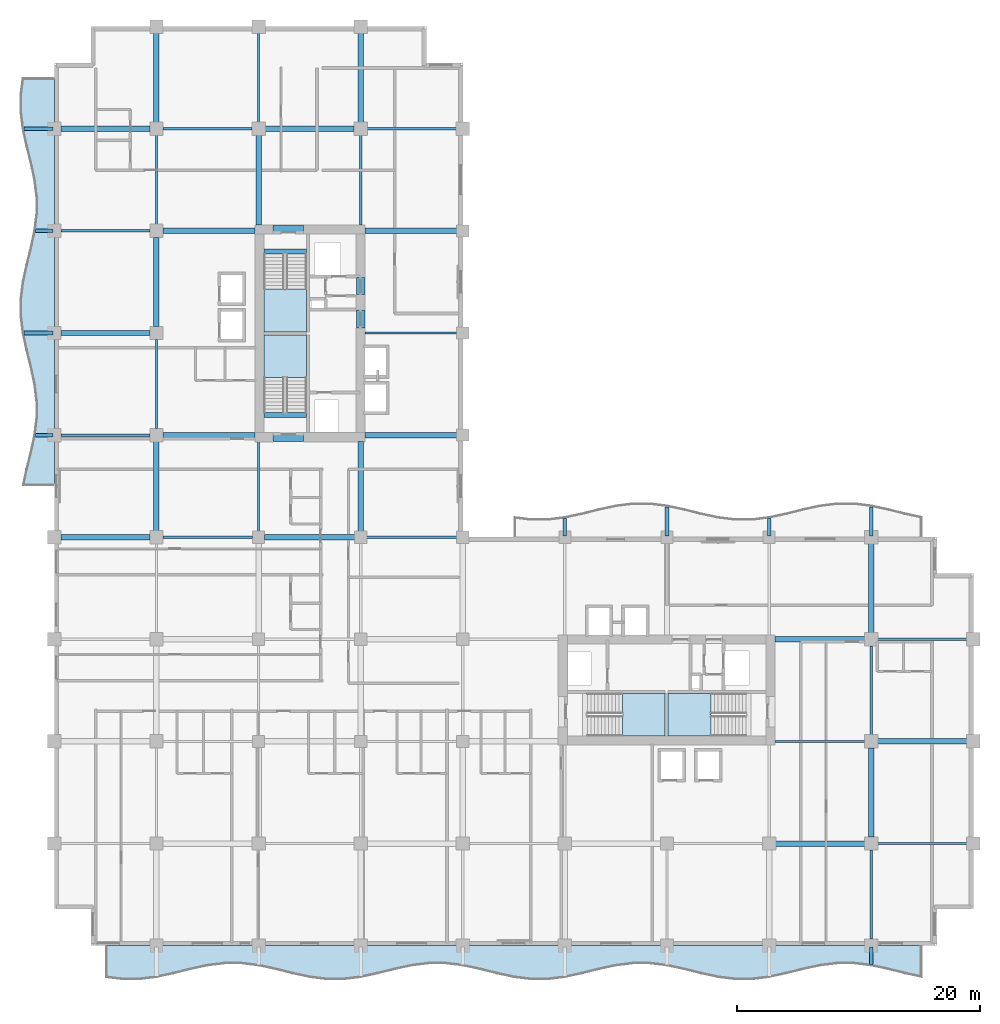
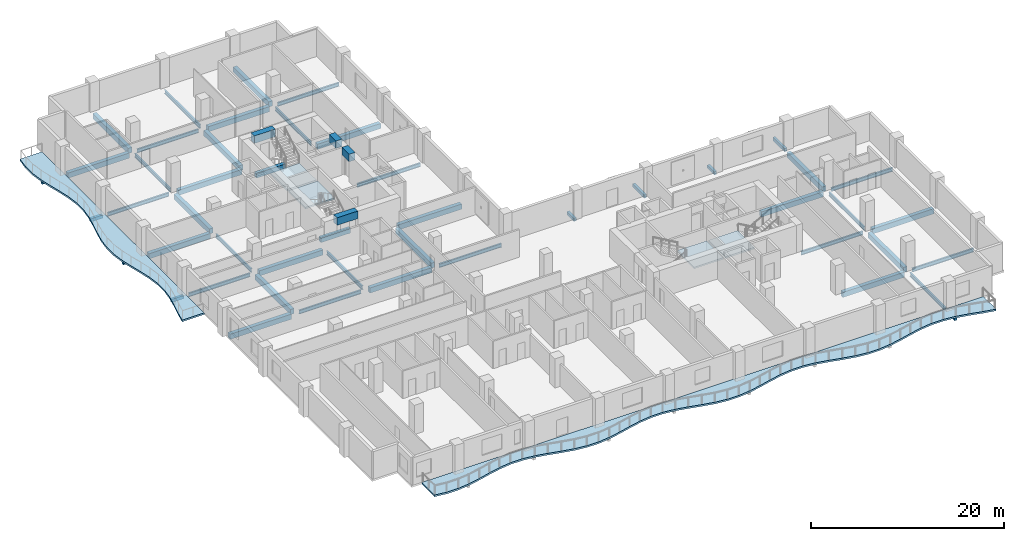
# One storey, part 2 of 16: 52 beams, 6 slabs, 4 elements without a shape of their own.
"""IFC4 building model written with IfcOpenShell, lengths in metres."""

from ifc_helpers import new_model, si_unit, direction, frame, origin, origin_2d, place, context, subcontext, project, spatial, polyline, rectangle, i_section, outline, extrude, material, layer, layer_set, material_profile, profile_set, type_object, element, aggregate, save


model = new_model("IFC4")

# Units and contexts
model_context = context("Model", 3, precision=1e-05, world=origin(), true_north=direction((0.0, 1.0)))
body_context = subcontext(model_context, "Body", "Model", "MODEL_VIEW")
ifc_project = project(units=[si_unit("LENGTHUNIT", "METRE"), si_unit("AREAUNIT", "SQUARE_METRE"), si_unit("VOLUMEUNIT", "CUBIC_METRE"), si_unit("PLANEANGLEUNIT", "RADIAN"), si_unit("MASSUNIT", "GRAM", prefix="KILO")], contexts=[model_context])

# Site, building, storey
site_placement = place(None, origin())
site = spatial("IfcSite", under=ifc_project, at=site_placement, CompositionType="ELEMENT")
building_placement = place(site_placement, origin())
building = spatial("IfcBuilding", under=site, at=building_placement, Name="Koriwani Terraces Tower", CompositionType="ELEMENT")
storey_placement = place(building_placement, frame((0.0, 0.0, 179.10009765625)))
storey = spatial("IfcBuildingStorey", under=building, at=storey_placement, Name="L43", CompositionType="ELEMENT", Elevation=179.10009765625)

# Beams
ifc_material_1 = material(Name="Concrete C40/50", Category="concrete")
ifc_material_profile_1 = material_profile(ifc_material_1, rectangle(XDim=0.300048828125, YDim=0.39990234375, at=origin_2d()), Name="Concrete C40/50", Category="LoadBearing")
ifc_profile_set_1 = profile_set([ifc_material_profile_1], Name="Concrete C40/50")
beam_type_1 = type_object("IfcBeamType", Name="BEAM_RC_BALCONY_RIB_300X400", PredefinedType="JOIST", material=ifc_profile_set_1)
for number, where, z_axis, x_axis, name in (
    (1, (67.199951171875, -1.547607421875, -0.43017578125), (0.0, 1.0, 0.0), (-1.0, 0.0, 0.0), "L43 Balcony Bracket Rib S-8"),
    (2, (-1.547607421875, 42.0, -0.43017578125), (1.0, 0.0, 0.0), (0.0, 1.0, 0.0), "L43 Balcony Bracket Rib W-1"),
):
    element("IfcBeam", number, at=place(storey_placement, frame(where, z_axis=z_axis, x_axis=x_axis)), inside=storey, type_object=beam_type_1, Name=name, PredefinedType="JOIST", context=body_context, shape_type="SweptSolid", body=[
        extrude(rectangle(XDim=0.300048828125, YDim=0.39990234375, at=origin_2d()), origin(), (0.0, 0.0, 1.0), 1.447509765625),
    ])
beam_1_placement = place(storey_placement, frame((-2.502197265625, 50.39990234375, -0.43017578125), z_axis=(1.0, 0.0, 0.0), x_axis=(0.0, 1.0, 0.0)))
element("IfcBeam", 3, at=beam_1_placement, inside=storey, type_object=beam_type_1, Name="L43 Balcony Bracket Rib W-2", PredefinedType="JOIST", context=body_context, shape_type="SweptSolid", body=[
    extrude(rectangle(XDim=0.300048828125, YDim=0.39990234375, at=origin_2d()), origin(), (0.0, 0.0, 1.0), 2.402099609375),
])
beam_2_placement = place(storey_placement, frame((-1.547607421875, 58.800048828125, -0.43017578125), z_axis=(1.0, 0.0, 0.0), x_axis=(0.0, 1.0, 0.0)))
element("IfcBeam", 4, at=beam_2_placement, inside=storey, type_object=beam_type_1, Name="L43 Balcony Bracket Rib W-3", PredefinedType="JOIST", context=body_context, shape_type="SweptSolid", body=[
    extrude(rectangle(XDim=0.300048828125, YDim=0.39990234375, at=origin_2d()), origin(), (0.0, 0.0, 1.0), 1.447509765625),
])
beam_3_placement = place(storey_placement, frame((-2.502197265625, 67.199951171875, -0.43017578125), z_axis=(1.0, 0.0, 0.0), x_axis=(0.0, 1.0, 0.0)))
element("IfcBeam", 5, at=beam_3_placement, inside=storey, type_object=beam_type_1, Name="L43 Balcony Bracket Rib W-4", PredefinedType="JOIST", context=body_context, shape_type="SweptSolid", body=[
    extrude(rectangle(XDim=0.300048828125, YDim=0.39990234375, at=origin_2d()), origin(), (0.0, 0.0, 1.0), 2.402099609375),
])
beam_4_placement = place(storey_placement, frame((42.0, 33.699951171875, -0.43017578125), z_axis=(0.0, 1.0, 0.0), x_axis=(-1.0, 0.0, 0.0)))
element("IfcBeam", 6, at=beam_4_placement, inside=storey, type_object=beam_type_1, Name="L43 Balcony Bracket Rib NE-1", PredefinedType="JOIST", context=body_context, shape_type="SweptSolid", body=[
    extrude(rectangle(XDim=0.300048828125, YDim=0.39990234375, at=origin_2d()), origin(), (0.0, 0.0, 1.0), 1.44775390625),
])
beam_5_placement = place(storey_placement, frame((50.39990234375, 33.699951171875, -0.43017578125), z_axis=(0.0, 1.0, 0.0), x_axis=(-1.0, 0.0, 0.0)))
element("IfcBeam", 7, at=beam_5_placement, inside=storey, type_object=beam_type_1, Name="L43 Balcony Bracket Rib NE-2", PredefinedType="JOIST", context=body_context, shape_type="SweptSolid", body=[
    extrude(rectangle(XDim=0.300048828125, YDim=0.39990234375, at=origin_2d()), origin(), (0.0, 0.0, 1.0), 2.40234375),
])
beam_6_placement = place(storey_placement, frame((58.800048828125, 33.699951171875, -0.43017578125), z_axis=(0.0, 1.0, 0.0), x_axis=(-1.0, 0.0, 0.0)))
element("IfcBeam", 8, at=beam_6_placement, inside=storey, type_object=beam_type_1, Name="L43 Balcony Bracket Rib NE-3", PredefinedType="JOIST", context=body_context, shape_type="SweptSolid", body=[
    extrude(rectangle(XDim=0.300048828125, YDim=0.39990234375, at=origin_2d()), origin(), (0.0, 0.0, 1.0), 1.44775390625),
])
beam_7_placement = place(storey_placement, frame((67.199951171875, 33.699951171875, -0.43017578125), z_axis=(0.0, 1.0, 0.0), x_axis=(-1.0, 0.0, 0.0)))
element("IfcBeam", 9, at=beam_7_placement, inside=storey, type_object=beam_type_1, Name="L43 Balcony Bracket Rib NE-4", PredefinedType="JOIST", context=body_context, shape_type="SweptSolid", body=[
    extrude(rectangle(XDim=0.300048828125, YDim=0.39990234375, at=origin_2d()), origin(), (0.0, 0.0, 1.0), 2.40234375),
])
ifc_material_2 = material(Name="Concrete C60/75", Category="concrete")
ifc_material_profile_2 = material_profile(ifc_material_2, rectangle(XDim=0.699951171875, YDim=0.949951171875, at=origin_2d()), Name="Concrete C60/75", Category="LoadBearing")
ifc_profile_set_2 = profile_set([ifc_material_profile_2], Name="Concrete C60/75")
beam_type_2 = type_object("IfcBeamType", Name="BEAM_RC_COUPLING_700X950", PredefinedType="LINTEL", material=ifc_profile_set_2)
beam_8_placement = place(storey_placement, frame((25.199951171875, 50.800048828125, 2.994873046875), z_axis=(0.0, 1.0, 0.0), x_axis=(-1.0, 0.0, 0.0)))
element("IfcBeam", 10, at=beam_8_placement, inside=storey, type_object=beam_type_2, Name="L43 Core Coupling Lintel Beam WE1", PredefinedType="LINTEL", context=body_context, shape_type="SweptSolid", body=[
    extrude(rectangle(XDim=0.699951171875, YDim=0.949951171875, at=origin_2d()), origin(), (0.0, 0.0, 1.0), 1.47998046875),
])
beam_9_placement = place(storey_placement, frame((25.199951171875, 53.550048828125, 2.994873046875), z_axis=(0.0, 1.0, 0.0), x_axis=(-1.0, 0.0, 0.0)))
element("IfcBeam", 11, at=beam_9_placement, inside=storey, type_object=beam_type_2, Name="L43 Core Coupling Lintel Beam WE2", PredefinedType="LINTEL", context=body_context, shape_type="SweptSolid", body=[
    extrude(rectangle(XDim=0.699951171875, YDim=0.949951171875, at=origin_2d()), origin(), (0.0, 0.0, 1.0), 1.39990234375),
])
for number, where, z_axis, x_axis, name in (
    (12, (18.0, 41.824951171875, 2.994873046875), (1.0, 0.0, 0.0), (0.0, 1.0, 0.0), "L43 Core Coupling Lintel Beam WS"),
    (13, (18.0, 58.925048828125, 2.994873046875), (1.0, 0.0, 0.0), (0.0, 1.0, 0.0), "L43 Core Coupling Lintel Beam WN"),
):
    element("IfcBeam", number, at=place(storey_placement, frame(where, z_axis=z_axis, x_axis=x_axis)), inside=storey, type_object=beam_type_2, Name=name, PredefinedType="LINTEL", context=body_context, shape_type="SweptSolid", body=[
        extrude(rectangle(XDim=0.699951171875, YDim=0.949951171875, at=origin_2d()), origin(), (0.0, 0.0, 1.0), 2.5),
    ])
ifc_material_profile_3 = material_profile(ifc_material_1, rectangle(XDim=0.39990234375, YDim=0.60009765625, at=origin_2d()), Name="Concrete C40/50", Category="LoadBearing")
ifc_profile_set_3 = profile_set([ifc_material_profile_3], Name="Concrete C40/50")
beam_type_3 = type_object("IfcBeamType", Name="BEAM_RC_GRID_400X600", PredefinedType="BEAM", material=ifc_profile_set_3)
for number, where, z_axis, x_axis, name in (
    (14, (17.25, 43.655029296875, -0.300048828125), (1.0, 0.0, 0.0), (0.0, 1.0, 0.0), "L43 Stairwell Header Trimmer Beam ST-W1"),
    (15, (17.25, 57.094970703125, -0.300048828125), (1.0, 0.0, 0.0), (0.0, 1.0, 0.0), "L43 Stairwell Header Trimmer Beam ST-W2"),
):
    element("IfcBeam", number, at=place(storey_placement, frame(where, z_axis=z_axis, x_axis=x_axis)), inside=storey, type_object=beam_type_3, Name=name, PredefinedType="BEAM", context=body_context, shape_type="SweptSolid", body=[
        extrude(rectangle(XDim=0.39990234375, YDim=0.60009765625, at=origin_2d()), origin(), (0.0, 0.0, 1.0), 3.5),
    ])
ifc_material_3 = material(Name="Concrete C50/60", Category="concrete")
ifc_material_profile_4 = material_profile(ifc_material_3, rectangle(XDim=0.449951171875, YDim=0.64990234375, at=origin_2d()), Name="Concrete C50/60", Category="LoadBearing")
ifc_profile_set_4 = profile_set([ifc_material_profile_4], Name="Concrete C50/60")
beam_type_4 = type_object("IfcBeamType", Name="BEAM_RC_GRID_450X650", PredefinedType="BEAM", material=ifc_profile_set_4)
beam_10_placement = place(storey_placement, frame((59.330078125, 8.39990234375, -0.55517578125), z_axis=(1.0, 0.0, 0.0), x_axis=(0.0, 1.0, 0.0)))
element("IfcBeam", 16, at=beam_10_placement, inside=storey, type_object=beam_type_4, Name="L43 Grid Beam B (58.8-67.2m)", PredefinedType="BEAM", context=body_context, shape_type="SweptSolid", body=[
    extrude(rectangle(XDim=0.449951171875, YDim=0.64990234375, at=origin_2d()), origin(), (0.0, 0.0, 1.0), 7.33984375),
])
beam_11_placement = place(storey_placement, frame((67.72998046875, 16.800048828125, -0.55517578125), z_axis=(1.0, 0.0, 0.0), x_axis=(0.0, 1.0, 0.0)))
element("IfcBeam", 17, at=beam_11_placement, inside=storey, type_object=beam_type_4, Name="L43 Grid Beam C (67.2-75.6m)", PredefinedType="BEAM", context=body_context, shape_type="SweptSolid", body=[
    extrude(rectangle(XDim=0.449951171875, YDim=0.64990234375, at=origin_2d()), origin(), (0.0, 0.0, 1.0), 7.340087890625),
])
beam_12_placement = place(storey_placement, frame((59.280029296875, 25.199951171875, -0.55517578125), z_axis=(1.0, 0.0, 0.0), x_axis=(0.0, 1.0, 0.0)))
element("IfcBeam", 18, at=beam_12_placement, inside=storey, type_object=beam_type_4, Name="L43 Grid Beam D (58.8-67.2m)", PredefinedType="BEAM", context=body_context, shape_type="SweptSolid", body=[
    extrude(rectangle(XDim=0.449951171875, YDim=0.64990234375, at=origin_2d()), origin(), (0.0, 0.0, 1.0), 7.389892578125),
])
beam_13_placement = place(storey_placement, frame((0.530029296875, 33.60009765625, -0.55517578125), z_axis=(1.0, 0.0, 0.0), x_axis=(0.0, 1.0, 0.0)))
element("IfcBeam", 19, at=beam_13_placement, inside=storey, type_object=beam_type_4, Name="L43 Grid Beam E (0.0-8.4m)", PredefinedType="BEAM", context=body_context, shape_type="SweptSolid", body=[
    extrude(rectangle(XDim=0.449951171875, YDim=0.64990234375, at=origin_2d()), origin(), (0.0, 0.0, 1.0), 7.340087890625),
])
beam_14_placement = place(storey_placement, frame((17.280029296875, 33.60009765625, -0.55517578125), z_axis=(1.0, 0.0, 0.0), x_axis=(0.0, 1.0, 0.0)))
element("IfcBeam", 20, at=beam_14_placement, inside=storey, type_object=beam_type_4, Name="L43 Grid Beam E (16.8-25.2m)", PredefinedType="BEAM", context=body_context, shape_type="SweptSolid", body=[
    extrude(rectangle(XDim=0.449951171875, YDim=0.64990234375, at=origin_2d()), origin(), (0.0, 0.0, 1.0), 7.43994140625),
])
beam_15_placement = place(storey_placement, frame((8.929931640625, 42.0, -0.55517578125), z_axis=(1.0, 0.0, 0.0), x_axis=(0.0, 1.0, 0.0)))
element("IfcBeam", 21, at=beam_15_placement, inside=storey, type_object=beam_type_4, Name="L43 Grid Beam F (8.4-16.8m)", PredefinedType="BEAM", context=body_context, shape_type="SweptSolid", body=[
    extrude(rectangle(XDim=0.449951171875, YDim=0.64990234375, at=origin_2d()), origin(), (0.0, 0.0, 1.0), 7.590087890625),
])
beam_16_placement = place(storey_placement, frame((25.554931640625, 42.0, -0.55517578125), z_axis=(1.0, 0.0, 0.0), x_axis=(0.0, 1.0, 0.0)))
element("IfcBeam", 22, at=beam_16_placement, inside=storey, type_object=beam_type_4, Name="L43 Grid Beam F (25.2-33.6m)", PredefinedType="BEAM", context=body_context, shape_type="SweptSolid", body=[
    extrude(rectangle(XDim=0.449951171875, YDim=0.64990234375, at=origin_2d()), origin(), (0.0, 0.0, 1.0), 7.565185546875),
])
beam_17_placement = place(storey_placement, frame((0.530029296875, 50.39990234375, -0.55517578125), z_axis=(1.0, 0.0, 0.0), x_axis=(0.0, 1.0, 0.0)))
element("IfcBeam", 23, at=beam_17_placement, inside=storey, type_object=beam_type_4, Name="L43 Grid Beam G (0.0-8.4m)", PredefinedType="BEAM", context=body_context, shape_type="SweptSolid", body=[
    extrude(rectangle(XDim=0.449951171875, YDim=0.64990234375, at=origin_2d()), origin(), (0.0, 0.0, 1.0), 7.340087890625),
])
beam_18_placement = place(storey_placement, frame((8.929931640625, 58.800048828125, -0.55517578125), z_axis=(1.0, 0.0, 0.0), x_axis=(0.0, 1.0, 0.0)))
element("IfcBeam", 24, at=beam_18_placement, inside=storey, type_object=beam_type_4, Name="L43 Grid Beam H (8.4-16.8m)", PredefinedType="BEAM", context=body_context, shape_type="SweptSolid", body=[
    extrude(rectangle(XDim=0.449951171875, YDim=0.64990234375, at=origin_2d()), origin(), (0.0, 0.0, 1.0), 7.590087890625),
])
beam_19_placement = place(storey_placement, frame((25.554931640625, 58.800048828125, -0.55517578125), z_axis=(1.0, 0.0, 0.0), x_axis=(0.0, 1.0, 0.0)))
element("IfcBeam", 25, at=beam_19_placement, inside=storey, type_object=beam_type_4, Name="L43 Grid Beam H (25.2-33.6m)", PredefinedType="BEAM", context=body_context, shape_type="SweptSolid", body=[
    extrude(rectangle(XDim=0.449951171875, YDim=0.64990234375, at=origin_2d()), origin(), (0.0, 0.0, 1.0), 7.565185546875),
])
beam_20_placement = place(storey_placement, frame((0.530029296875, 67.199951171875, -0.55517578125), z_axis=(1.0, 0.0, 0.0), x_axis=(0.0, 1.0, 0.0)))
element("IfcBeam", 26, at=beam_20_placement, inside=storey, type_object=beam_type_4, Name="L43 Grid Beam I (0.0-8.4m)", PredefinedType="BEAM", context=body_context, shape_type="SweptSolid", body=[
    extrude(rectangle(XDim=0.449951171875, YDim=0.64990234375, at=origin_2d()), origin(), (0.0, 0.0, 1.0), 7.340087890625),
])
beam_21_placement = place(storey_placement, frame((17.330078125, 67.199951171875, -0.55517578125), z_axis=(1.0, 0.0, 0.0), x_axis=(0.0, 1.0, 0.0)))
element("IfcBeam", 27, at=beam_21_placement, inside=storey, type_object=beam_type_4, Name="L43 Grid Beam I (16.8-25.2m)", PredefinedType="BEAM", context=body_context, shape_type="SweptSolid", body=[
    extrude(rectangle(XDim=0.449951171875, YDim=0.64990234375, at=origin_2d()), origin(), (0.0, 0.0, 1.0), 7.33984375),
])
for number, where, z_axis, x_axis, name in (
    (28, (8.39990234375, 34.1298828125, -0.55517578125), (0.0, 1.0, 0.0), (-1.0, 0.0, 0.0), "L43 Grid Beam 2 (33.6-42.0m)"),
    (29, (8.39990234375, 50.929931640625, -0.55517578125), (0.0, 1.0, 0.0), (-1.0, 0.0, 0.0), "L43 Grid Beam 2 (50.4-58.8m)"),
    (30, (8.39990234375, 67.72998046875, -0.55517578125), (0.0, 1.0, 0.0), (-1.0, 0.0, 0.0), "L43 Grid Beam 2 (67.2-75.6m)"),
):
    element("IfcBeam", number, at=place(storey_placement, frame(where, z_axis=z_axis, x_axis=x_axis)), inside=storey, type_object=beam_type_4, Name=name, PredefinedType="BEAM", context=body_context, shape_type="SweptSolid", body=[
        extrude(rectangle(XDim=0.449951171875, YDim=0.64990234375, at=origin_2d()), origin(), (0.0, 0.0, 1.0), 7.340087890625),
    ])
for number, where, z_axis, x_axis, name in (
    (31, (16.800048828125, 59.280029296875, -0.55517578125), (0.0, 1.0, 0.0), (-1.0, 0.0, 0.0), "L43 Grid Beam 3 (58.8-67.2m)"),
    (32, (25.199951171875, 34.080078125, -0.55517578125), (0.0, 1.0, 0.0), (-1.0, 0.0, 0.0), "L43 Grid Beam 4 (33.6-42.0m)"),
):
    element("IfcBeam", number, at=place(storey_placement, frame(where, z_axis=z_axis, x_axis=x_axis)), inside=storey, type_object=beam_type_4, Name=name, PredefinedType="BEAM", context=body_context, shape_type="SweptSolid", body=[
        extrude(rectangle(XDim=0.449951171875, YDim=0.64990234375, at=origin_2d()), origin(), (0.0, 0.0, 1.0), 7.389892578125),
    ])
for number, where, z_axis, x_axis, name in (
    (33, (25.199951171875, 67.72998046875, -0.55517578125), (0.0, 1.0, 0.0), (-1.0, 0.0, 0.0), "L43 Grid Beam 4 (67.2-75.6m)"),
    (34, (67.199951171875, 8.929931640625, -0.55517578125), (0.0, 1.0, 0.0), (-1.0, 0.0, 0.0), "L43 Grid Beam 9 (8.4-16.8m)"),
    (35, (67.199951171875, 25.72998046875, -0.55517578125), (0.0, 1.0, 0.0), (-1.0, 0.0, 0.0), "L43 Grid Beam 9 (25.2-33.6m)"),
):
    element("IfcBeam", number, at=place(storey_placement, frame(where, z_axis=z_axis, x_axis=x_axis)), inside=storey, type_object=beam_type_4, Name=name, PredefinedType="BEAM", context=body_context, shape_type="SweptSolid", body=[
        extrude(rectangle(XDim=0.449951171875, YDim=0.64990234375, at=origin_2d()), origin(), (0.0, 0.0, 1.0), 7.340087890625),
    ])
ifc_material_4 = material(Name="Steel ASTM A572 Grade 50", Category="steel")
ifc_material_profile_5 = material_profile(ifc_material_4, i_section(OverallWidth=0.19189453125, OverallDepth=0.462890625, WebThickness=0.010498046875, FlangeThickness=0.01611328125, at=origin_2d()), Name="Steel ASTM A572 Grade 50", Category="LoadBearing")
ifc_profile_set_5 = profile_set([ifc_material_profile_5], Name="Steel ASTM A572 Grade 50")
beam_type_5 = type_object("IfcBeamType", Name="STEEL_BEAM_W460X89", PredefinedType="BEAM", material=ifc_profile_set_5)
beam_22_placement = place(storey_placement, frame((67.72998046875, 8.39990234375, -0.461669921875), z_axis=(1.0, 0.0, 0.0), x_axis=(0.0, 1.0, 0.0)))
element("IfcBeam", 36, at=beam_22_placement, inside=storey, type_object=beam_type_5, Name="L43 Grid Beam B (67.2-75.6m)", PredefinedType="BEAM", context=body_context, shape_type="SweptSolid", body=[
    extrude(i_section(OverallWidth=0.19189453125, OverallDepth=0.462890625, WebThickness=0.010498046875, FlangeThickness=0.01611328125, at=origin_2d()), origin(), (0.0, 0.0, 1.0), 7.340087890625),
])
beam_23_placement = place(storey_placement, frame((59.280029296875, 16.800048828125, -0.461669921875), z_axis=(1.0, 0.0, 0.0), x_axis=(0.0, 1.0, 0.0)))
element("IfcBeam", 37, at=beam_23_placement, inside=storey, type_object=beam_type_5, Name="L43 Grid Beam C (58.8-67.2m)", PredefinedType="BEAM", context=body_context, shape_type="SweptSolid", body=[
    extrude(i_section(OverallWidth=0.19189453125, OverallDepth=0.462890625, WebThickness=0.010498046875, FlangeThickness=0.01611328125, at=origin_2d()), origin(), (0.0, 0.0, 1.0), 7.389892578125),
])
beam_24_placement = place(storey_placement, frame((67.72998046875, 25.199951171875, -0.461669921875), z_axis=(1.0, 0.0, 0.0), x_axis=(0.0, 1.0, 0.0)))
element("IfcBeam", 38, at=beam_24_placement, inside=storey, type_object=beam_type_5, Name="L43 Grid Beam D (67.2-75.6m)", PredefinedType="BEAM", context=body_context, shape_type="SweptSolid", body=[
    extrude(i_section(OverallWidth=0.19189453125, OverallDepth=0.462890625, WebThickness=0.010498046875, FlangeThickness=0.01611328125, at=origin_2d()), origin(), (0.0, 0.0, 1.0), 7.340087890625),
])
beam_25_placement = place(storey_placement, frame((8.929931640625, 33.60009765625, -0.461669921875), z_axis=(1.0, 0.0, 0.0), x_axis=(0.0, 1.0, 0.0)))
element("IfcBeam", 39, at=beam_25_placement, inside=storey, type_object=beam_type_5, Name="L43 Grid Beam E (8.4-16.8m)", PredefinedType="BEAM", context=body_context, shape_type="SweptSolid", body=[
    extrude(i_section(OverallWidth=0.19189453125, OverallDepth=0.462890625, WebThickness=0.010498046875, FlangeThickness=0.01611328125, at=origin_2d()), origin(), (0.0, 0.0, 1.0), 7.39013671875),
])
beam_26_placement = place(storey_placement, frame((25.679931640625, 33.60009765625, -0.461669921875), z_axis=(1.0, 0.0, 0.0), x_axis=(0.0, 1.0, 0.0)))
element("IfcBeam", 40, at=beam_26_placement, inside=storey, type_object=beam_type_5, Name="L43 Grid Beam E (25.2-33.6m)", PredefinedType="BEAM", context=body_context, shape_type="SweptSolid", body=[
    extrude(i_section(OverallWidth=0.19189453125, OverallDepth=0.462890625, WebThickness=0.010498046875, FlangeThickness=0.01611328125, at=origin_2d()), origin(), (0.0, 0.0, 1.0), 7.440185546875),
])
beam_27_placement = place(storey_placement, frame((0.530029296875, 42.0, -0.461669921875), z_axis=(1.0, 0.0, 0.0), x_axis=(0.0, 1.0, 0.0)))
element("IfcBeam", 41, at=beam_27_placement, inside=storey, type_object=beam_type_5, Name="L43 Grid Beam F (0.0-8.4m)", PredefinedType="BEAM", context=body_context, shape_type="SweptSolid", body=[
    extrude(i_section(OverallWidth=0.19189453125, OverallDepth=0.462890625, WebThickness=0.010498046875, FlangeThickness=0.01611328125, at=origin_2d()), origin(), (0.0, 0.0, 1.0), 7.340087890625),
])
beam_28_placement = place(storey_placement, frame((25.554931640625, 50.39990234375, -0.461669921875), z_axis=(1.0, 0.0, 0.0), x_axis=(0.0, 1.0, 0.0)))
element("IfcBeam", 42, at=beam_28_placement, inside=storey, type_object=beam_type_5, Name="L43 Grid Beam G (25.2-33.6m)", PredefinedType="BEAM", context=body_context, shape_type="SweptSolid", body=[
    extrude(i_section(OverallWidth=0.19189453125, OverallDepth=0.462890625, WebThickness=0.010498046875, FlangeThickness=0.01611328125, at=origin_2d()), origin(), (0.0, 0.0, 1.0), 7.565185546875),
])
for number, where, z_axis, x_axis, name in (
    (43, (0.530029296875, 58.800048828125, -0.461669921875), (1.0, 0.0, 0.0), (0.0, 1.0, 0.0), "L43 Grid Beam H (0.0-8.4m)"),
    (44, (8.929931640625, 67.199951171875, -0.461669921875), (1.0, 0.0, 0.0), (0.0, 1.0, 0.0), "L43 Grid Beam I (8.4-16.8m)"),
    (45, (25.72998046875, 67.199951171875, -0.461669921875), (1.0, 0.0, 0.0), (0.0, 1.0, 0.0), "L43 Grid Beam I (25.2-33.6m)"),
    (46, (8.39990234375, 42.530029296875, -0.461669921875), (0.0, 1.0, 0.0), (-1.0, 0.0, 0.0), "L43 Grid Beam 2 (42.0-50.4m)"),
):
    element("IfcBeam", number, at=place(storey_placement, frame(where, z_axis=z_axis, x_axis=x_axis)), inside=storey, type_object=beam_type_5, Name=name, PredefinedType="BEAM", context=body_context, shape_type="SweptSolid", body=[
        extrude(i_section(OverallWidth=0.19189453125, OverallDepth=0.462890625, WebThickness=0.010498046875, FlangeThickness=0.01611328125, at=origin_2d()), origin(), (0.0, 0.0, 1.0), 7.340087890625),
    ])
beam_29_placement = place(storey_placement, frame((8.39990234375, 59.330078125, -0.461669921875), z_axis=(0.0, 1.0, 0.0), x_axis=(-1.0, 0.0, 0.0)))
element("IfcBeam", 47, at=beam_29_placement, inside=storey, type_object=beam_type_5, Name="L43 Grid Beam 2 (58.8-67.2m)", PredefinedType="BEAM", context=body_context, shape_type="SweptSolid", body=[
    extrude(i_section(OverallWidth=0.19189453125, OverallDepth=0.462890625, WebThickness=0.010498046875, FlangeThickness=0.01611328125, at=origin_2d()), origin(), (0.0, 0.0, 1.0), 7.33984375),
])
beam_30_placement = place(storey_placement, frame((16.800048828125, 34.080078125, -0.461669921875), z_axis=(0.0, 1.0, 0.0), x_axis=(-1.0, 0.0, 0.0)))
element("IfcBeam", 48, at=beam_30_placement, inside=storey, type_object=beam_type_5, Name="L43 Grid Beam 3 (33.6-42.0m)", PredefinedType="BEAM", context=body_context, shape_type="SweptSolid", body=[
    extrude(i_section(OverallWidth=0.19189453125, OverallDepth=0.462890625, WebThickness=0.010498046875, FlangeThickness=0.01611328125, at=origin_2d()), origin(), (0.0, 0.0, 1.0), 7.389892578125),
])
beam_31_placement = place(storey_placement, frame((16.800048828125, 67.72998046875, -0.461669921875), z_axis=(0.0, 1.0, 0.0), x_axis=(-1.0, 0.0, 0.0)))
element("IfcBeam", 49, at=beam_31_placement, inside=storey, type_object=beam_type_5, Name="L43 Grid Beam 3 (67.2-75.6m)", PredefinedType="BEAM", context=body_context, shape_type="SweptSolid", body=[
    extrude(i_section(OverallWidth=0.19189453125, OverallDepth=0.462890625, WebThickness=0.010498046875, FlangeThickness=0.01611328125, at=origin_2d()), origin(), (0.0, 0.0, 1.0), 7.340087890625),
])
beam_32_placement = place(storey_placement, frame((25.199951171875, 59.280029296875, -0.461669921875), z_axis=(0.0, 1.0, 0.0), x_axis=(-1.0, 0.0, 0.0)))
element("IfcBeam", 50, at=beam_32_placement, inside=storey, type_object=beam_type_5, Name="L43 Grid Beam 4 (58.8-67.2m)", PredefinedType="BEAM", context=body_context, shape_type="SweptSolid", body=[
    extrude(i_section(OverallWidth=0.19189453125, OverallDepth=0.462890625, WebThickness=0.010498046875, FlangeThickness=0.01611328125, at=origin_2d()), origin(), (0.0, 0.0, 1.0), 7.389892578125),
])
beam_33_placement = place(storey_placement, frame((67.199951171875, 0.530029296875, -0.461669921875), z_axis=(0.0, 1.0, 0.0), x_axis=(-1.0, 0.0, 0.0)))
element("IfcBeam", 51, at=beam_33_placement, inside=storey, type_object=beam_type_5, Name="L43 Grid Beam 9 (0.0-8.4m)", PredefinedType="BEAM", context=body_context, shape_type="SweptSolid", body=[
    extrude(i_section(OverallWidth=0.19189453125, OverallDepth=0.462890625, WebThickness=0.010498046875, FlangeThickness=0.01611328125, at=origin_2d()), origin(), (0.0, 0.0, 1.0), 7.340087890625),
])
beam_34_placement = place(storey_placement, frame((67.199951171875, 17.330078125, -0.461669921875), z_axis=(0.0, 1.0, 0.0), x_axis=(-1.0, 0.0, 0.0)))
element("IfcBeam", 52, at=beam_34_placement, inside=storey, type_object=beam_type_5, Name="L43 Grid Beam 9 (16.8-25.2m)", PredefinedType="BEAM", context=body_context, shape_type="SweptSolid", body=[
    extrude(i_section(OverallWidth=0.19189453125, OverallDepth=0.462890625, WebThickness=0.010498046875, FlangeThickness=0.01611328125, at=origin_2d()), origin(), (0.0, 0.0, 1.0), 7.33984375),
])

# Slabs
ifc_layer_1 = layer(ifc_material_1, 0.219970703125, Name="Concrete C40/50")
ifc_layer_set_1 = layer_set([ifc_layer_1], Name="Concrete C40/50")
slab_type_1 = type_object("IfcSlabType", Name="SLAB_BALCONY_220", PredefinedType="FLOOR", material=ifc_layer_set_1)
slab_1_placement = place(storey_placement, frame((0.0, 0.0, -0.22021484375)))
element("IfcSlab", 53, at=slab_1_placement, inside=storey, type_object=slab_type_1, Name="L43 Quilted Circular-Arc Balcony (S)", PredefinedType="FLOOR", context=body_context, shape_type="SweptSolid", body=[
    extrude(outline(polyline([(4.199951171875, 0.0), (5.60009765625, 0.0), (7.0, 0.0), (8.39990234375, 0.0), (9.800048828125, 0.0), (11.199951171875, 0.0), (12.60009765625, 0.0), (14.0, 0.0), (15.39990234375, 0.0), (16.800048828125, 0.0), (18.199951171875, 0.0), (19.60009765625, 0.0), (21.0, 0.0), (22.39990234375, 0.0), (23.800048828125, 0.0), (25.199951171875, 0.0), (26.60009765625, 0.0), (28.0, 0.0), (29.39990234375, 0.0), (30.800048828125, 0.0), (32.199951171875, 0.0), (33.60009765625, 0.0), (35.0, 0.0), (36.39990234375, 0.0), (37.800048828125, 0.0), (39.199951171875, 0.0), (40.60009765625, 0.0), (42.0, 0.0), (43.39990234375, 0.0), (44.800048828125, 0.0), (46.199951171875, 0.0), (47.60009765625, 0.0), (49.0, 0.0), (50.39990234375, 0.0), (51.800048828125, 0.0), (53.199951171875, 0.0), (54.60009765625, 0.0), (56.0, 0.0), (57.39990234375, 0.0), (58.800048828125, 0.0), (60.199951171875, 0.0), (61.60009765625, 0.0), (63.0, 0.0), (64.39990234375, 0.0), (65.800048828125, 0.0), (67.199951171875, 0.0), (68.60009765625, 0.0), (70.0, 0.0), (71.39990234375, 0.0), (71.39990234375, -2.65234375), (70.0, -2.349609375), (68.60009765625, -2.000244140625), (67.199951171875, -1.69775390625), (65.800048828125, -1.52294921875), (64.39990234375, -1.52294921875), (63.0, -1.69775390625), (61.60009765625, -2.000244140625), (60.199951171875, -2.349609375), (58.800048828125, -2.65234375), (57.39990234375, -2.826904296875), (56.0, -2.826904296875), (54.60009765625, -2.65234375), (53.199951171875, -2.349609375), (51.800048828125, -2.000244140625), (50.39990234375, -1.69775390625), (49.0, -1.52294921875), (47.60009765625, -1.52294921875), (46.199951171875, -1.69775390625), (44.800048828125, -2.000244140625), (43.39990234375, -2.349609375), (42.0, -2.65234375), (40.60009765625, -2.826904296875), (39.199951171875, -2.826904296875), (37.800048828125, -2.65234375), (36.39990234375, -2.349609375), (35.0, -2.000244140625), (33.60009765625, -1.69775390625), (32.199951171875, -1.52294921875), (30.800048828125, -1.52294921875), (29.39990234375, -1.69775390625), (28.0, -2.000244140625), (26.60009765625, -2.349609375), (25.199951171875, -2.65234375), (23.800048828125, -2.826904296875), (22.39990234375, -2.826904296875), (21.0, -2.65234375), (19.60009765625, -2.349609375), (18.199951171875, -2.000244140625), (16.800048828125, -1.69775390625), (15.39990234375, -1.52294921875), (14.0, -1.52294921875), (12.60009765625, -1.69775390625), (11.199951171875, -2.000244140625), (9.800048828125, -2.349609375), (8.39990234375, -2.65234375), (7.0, -2.826904296875), (5.60009765625, -2.826904296875), (4.199951171875, -2.65234375), (4.199951171875, 0.0)])), origin(), (0.0, 0.0, 1.0), 0.22021484375),
])
slab_2_placement = place(storey_placement, frame((0.0, 0.0, -0.22021484375)))
element("IfcSlab", 54, at=slab_2_placement, inside=storey, type_object=slab_type_1, Name="L43 Quilted Circular-Arc Balcony (W)", PredefinedType="FLOOR", context=body_context, shape_type="SweptSolid", body=[
    extrude(outline(polyline([(0.0, 37.800048828125), (0.0, 39.199951171875), (0.0, 40.60009765625), (0.0, 42.0), (0.0, 43.39990234375), (0.0, 44.800048828125), (0.0, 46.199951171875), (0.0, 47.60009765625), (0.0, 49.0), (0.0, 50.39990234375), (0.0, 51.800048828125), (0.0, 53.199951171875), (0.0, 54.60009765625), (0.0, 56.0), (0.0, 57.39990234375), (0.0, 58.800048828125), (0.0, 60.199951171875), (0.0, 61.60009765625), (0.0, 63.0), (0.0, 64.39990234375), (0.0, 65.800048828125), (0.0, 67.199951171875), (0.0, 68.60009765625), (0.0, 70.0), (0.0, 71.39990234375), (-2.65234375, 71.39990234375), (-2.826904296875, 70.0), (-2.826904296875, 68.60009765625), (-2.65234375, 67.199951171875), (-2.349609375, 65.800048828125), (-2.000244140625, 64.39990234375), (-1.69775390625, 63.0), (-1.52294921875, 61.60009765625), (-1.52294921875, 60.199951171875), (-1.69775390625, 58.800048828125), (-2.000244140625, 57.39990234375), (-2.349609375, 56.0), (-2.65234375, 54.60009765625), (-2.826904296875, 53.199951171875), (-2.826904296875, 51.800048828125), (-2.65234375, 50.39990234375), (-2.349609375, 49.0), (-2.000244140625, 47.60009765625), (-1.69775390625, 46.199951171875), (-1.52294921875, 44.800048828125), (-1.52294921875, 43.39990234375), (-1.69775390625, 42.0), (-2.000244140625, 40.60009765625), (-2.349609375, 39.199951171875), (-2.65234375, 37.800048828125), (0.0, 37.800048828125)])), origin(), (0.0, 0.0, 1.0), 0.22021484375),
])

# Stair, slab
stair_type = type_object("IfcStairType", Name="STAIR_CORE_DOGLEG_1650", PredefinedType="TWO_STRAIGHT_RUN_STAIR", material=ifc_material_1)
stair_1_placement = place(storey_placement, origin())
stair_1 = element("IfcStair", 55, at=stair_1_placement, inside=storey, type_object=stair_type, Name="L43 West Core Exit Stair 1", PredefinedType="HALF_TURN_STAIR")
ifc_layer_2 = layer(ifc_material_1, 0.199951171875, Name="Concrete C40/50")
ifc_layer_set_2 = layer_set([ifc_layer_2], Name="Concrete C40/50")
slab_type_2 = type_object("IfcSlabType", Name="SLAB_STAIR_LANDING_200", PredefinedType="LANDING", material=ifc_layer_set_2)
slab_3_placement = place(storey_placement, frame((0.0, 0.0, 1.64990234375)))
slab_3 = element("IfcSlab", 56, at=slab_3_placement, type_object=slab_type_2, Name="ST-W1 landing 1", PredefinedType="LANDING", context=body_context, shape_type="SweptSolid", body=[
    extrude(outline(polyline([(20.75, 46.75), (20.75, 50.25), (17.25, 50.25), (17.25, 46.75), (20.75, 46.75)])), origin(), (0.0, 0.0, 1.0), 0.199951171875),
])
aggregate(stair_1, [slab_3])

stair_2_placement = place(storey_placement, origin())
stair_2 = element("IfcStair", 57, at=stair_2_placement, inside=storey, type_object=stair_type, Name="L43 West Core Exit Stair 2", PredefinedType="HALF_TURN_STAIR")
slab_4_placement = place(storey_placement, frame((0.0, 0.0, 1.64990234375)))
slab_4 = element("IfcSlab", 58, at=slab_4_placement, type_object=slab_type_2, Name="ST-W2 landing 1", PredefinedType="LANDING", context=body_context, shape_type="SweptSolid", body=[
    extrude(outline(polyline([(17.25, 54.0), (17.25, 50.5), (20.75, 50.5), (20.75, 54.0), (17.25, 54.0)])), origin(), (0.0, 0.0, 1.0), 0.199951171875),
])
aggregate(stair_2, [slab_4])

stair_3_placement = place(storey_placement, origin())
stair_3 = element("IfcStair", 59, at=stair_3_placement, inside=storey, type_object=stair_type, Name="L43 East Core Exit Stair 1", PredefinedType="HALF_TURN_STAIR")
slab_5_placement = place(storey_placement, frame((0.0, 0.0, 1.64990234375)))
slab_5 = element("IfcSlab", 60, at=slab_5_placement, type_object=slab_type_2, Name="ST-E1 landing 1", PredefinedType="LANDING", context=body_context, shape_type="SweptSolid", body=[
    extrude(outline(polyline([(46.75, 17.25), (50.25, 17.25), (50.25, 20.75), (46.75, 20.75), (46.75, 17.25)])), origin(), (0.0, 0.0, 1.0), 0.199951171875),
])
aggregate(stair_3, [slab_5])

stair_4_placement = place(storey_placement, origin())
stair_4 = element("IfcStair", 61, at=stair_4_placement, inside=storey, type_object=stair_type, Name="L43 East Core Exit Stair 2", PredefinedType="HALF_TURN_STAIR")
slab_6_placement = place(storey_placement, frame((0.0, 0.0, 1.64990234375)))
slab_6 = element("IfcSlab", 62, at=slab_6_placement, type_object=slab_type_2, Name="ST-E2 landing 1", PredefinedType="LANDING", context=body_context, shape_type="SweptSolid", body=[
    extrude(outline(polyline([(54.0, 20.75), (50.5, 20.75), (50.5, 17.25), (54.0, 17.25), (54.0, 20.75)])), origin(), (0.0, 0.0, 1.0), 0.199951171875),
])
aggregate(stair_4, [slab_6])

save(model, "model.ifc")
